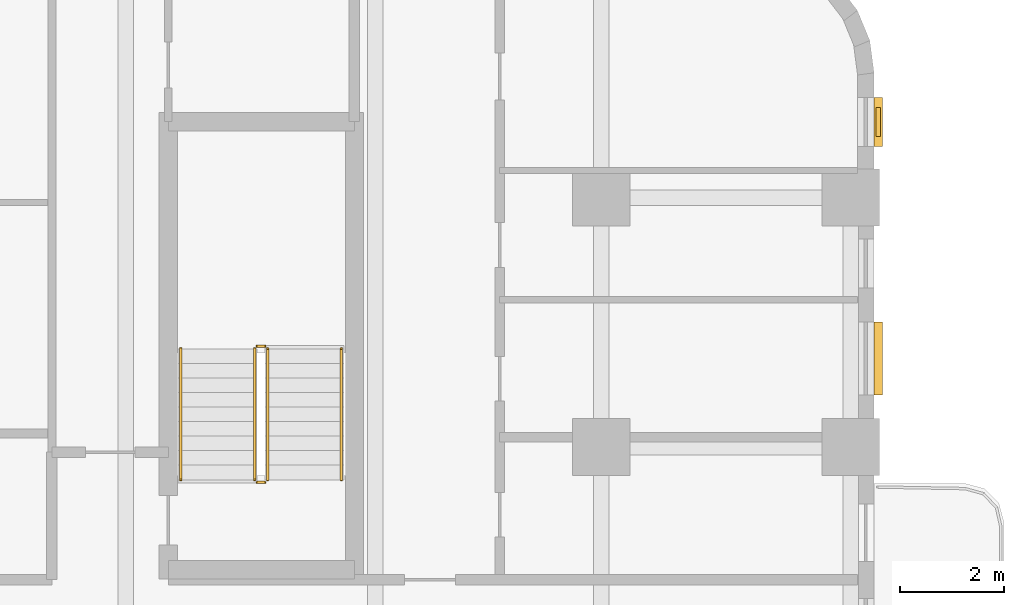
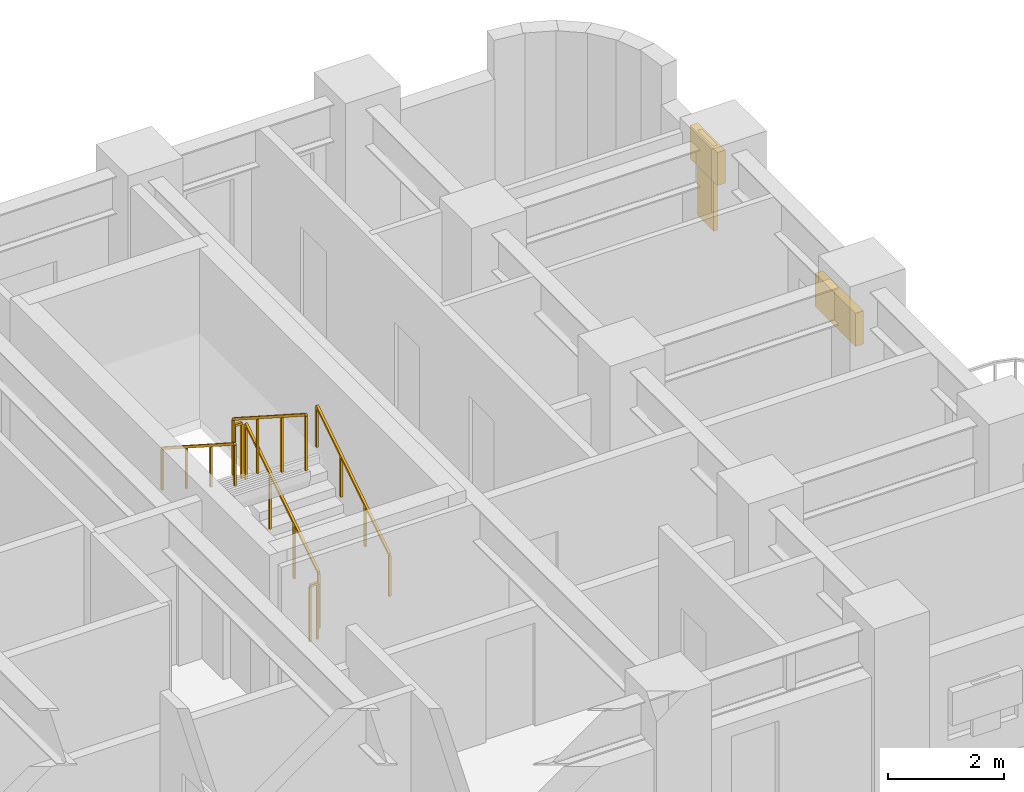
# One storey, part 11 of 12: 6 railings, 3 shading devices.
"""IFC4 building model written with IfcOpenShell, lengths in metres."""

from ifc_helpers import new_model, si_unit, direction, frame, origin, origin_2d, place, context, subcontext, project, spatial, rectangle, extrude, material, type_object, element, save


model = new_model("IFC4")

# Units and contexts
model_context = context("Model", 3, precision=1e-05, world=origin(), true_north=direction((0.0, 1.0)))
body_context = subcontext(model_context, "Body", "Model", "MODEL_VIEW")
ifc_project = project(units=[si_unit("LENGTHUNIT", "METRE"), si_unit("AREAUNIT", "SQUARE_METRE"), si_unit("VOLUMEUNIT", "CUBIC_METRE"), si_unit("PLANEANGLEUNIT", "RADIAN"), si_unit("MASSUNIT", "GRAM", prefix="KILO")], contexts=[model_context])

# Site, building, storey
site_placement = place(None, origin())
site = spatial("IfcSite", under=ifc_project, at=site_placement, CompositionType="ELEMENT")
building_placement = place(site_placement, origin())
building = spatial("IfcBuilding", under=site, at=building_placement, Name="Orvandelia Arch Residences", CompositionType="ELEMENT")
storey_placement = place(building_placement, frame((0.0, 0.0, 39.39990234375)))
storey = spatial("IfcBuildingStorey", under=building, at=storey_placement, Name="L09", CompositionType="ELEMENT", Elevation=39.39990234375)

# Railings
ifc_material_1 = material(Name="Brushed Stainless Steel 304", Category="steel")
railing_type_1 = type_object("IfcRailingType", Name="RL-STAIR-GD1120", PredefinedType="GUARDRAIL", material=ifc_material_1)
railing_1_placement = place(storey_placement, frame((45.929931640625, 37.77001953125, 0.18017578125)))
element("IfcRailing", 1, at=railing_1_placement, inside=storey, type_object=railing_type_1, Name="L09 ST-3 stair guard 1", PredefinedType="GUARDRAIL", context=body_context, shape_type="SweptSolid", body=[
    extrude(rectangle(XDim=0.048095703125, YDim=0.048095703125, at=origin_2d()), frame((0.0, 0.0, 1.17578125), z_axis=(0.0, 0.841199657755, 0.540724639528), x_axis=(-1.0, 0.0, 0.0)), (0.0, 0.0, 1.0), 2.995849609375),
    extrude(rectangle(XDim=0.0419921875, YDim=0.0419921875, at=origin_2d()), origin(), (0.0, 0.0, 1.0), 1.15185546875),
    extrude(rectangle(XDim=0.0419921875, YDim=0.0419921875, at=origin_2d()), frame((0.0, 0.840087890625, 0.5400390625)), (0.0, 0.0, 1.0), 1.15185546875),
    extrude(rectangle(XDim=0.0419921875, YDim=0.0419921875, at=origin_2d()), frame((0.0, 1.679931640625, 1.079833984375)), (0.0, 0.0, 1.0), 1.15185546875),
    extrude(rectangle(XDim=0.0419921875, YDim=0.0419921875, at=origin_2d()), frame((0.0, 2.52001953125, 1.619873046875)), (0.0, 0.0, 1.0), 1.15185546875),
])
railing_2_placement = place(storey_placement, frame((45.8798828125, 40.340087890625, 1.800048828125)))
element("IfcRailing", 2, at=railing_2_placement, inside=storey, type_object=railing_type_1, Name="L09 ST-3 stair guard 2", PredefinedType="GUARDRAIL", context=body_context, shape_type="SweptSolid", body=[
    extrude(rectangle(XDim=0.048095703125, YDim=0.048095703125, at=origin_2d()), frame((0.0, 0.0, 1.17578125), z_axis=(-1.0, 0.0, 0.0), x_axis=(0.0, -1.0, 0.0)), (0.0, 0.0, 1.0), 0.14990234375),
    extrude(rectangle(XDim=0.0419921875, YDim=0.0419921875, at=origin_2d()), origin(), (0.0, 0.0, 1.0), 1.15185546875),
    extrude(rectangle(XDim=0.0419921875, YDim=0.0419921875, at=origin_2d()), frame((-0.14990234375, 0.0, 0.0)), (0.0, 0.0, 1.0), 1.15185546875),
])
railing_3_placement = place(storey_placement, frame((45.679931640625, 40.2900390625, 1.97998046875)))
element("IfcRailing", 3, at=railing_3_placement, inside=storey, type_object=railing_type_1, Name="L09 ST-3 stair guard 3", PredefinedType="GUARDRAIL", context=body_context, shape_type="SweptSolid", body=[
    extrude(rectangle(XDim=0.048095703125, YDim=0.048095703125, at=origin_2d()), frame((0.0, 0.0, 1.17578125), z_axis=(0.0, -0.841162588446, 0.540782303519), x_axis=(1.0, 0.0, 0.0)), (0.0, 0.0, 1.0), 2.995849609375),
    extrude(rectangle(XDim=0.0419921875, YDim=0.0419921875, at=origin_2d()), origin(), (0.0, 0.0, 1.0), 1.15185546875),
    extrude(rectangle(XDim=0.0419921875, YDim=0.0419921875, at=origin_2d()), frame((0.0, -0.840087890625, 0.5400390625)), (0.0, 0.0, 1.0), 1.15185546875),
    extrude(rectangle(XDim=0.0419921875, YDim=0.0419921875, at=origin_2d()), frame((0.0, -1.679931640625, 1.080078125)), (0.0, 0.0, 1.0), 1.15185546875),
    extrude(rectangle(XDim=0.0419921875, YDim=0.0419921875, at=origin_2d()), frame((0.0, -2.52001953125, 1.6201171875)), (0.0, 0.0, 1.0), 1.15185546875),
])
railing_4_placement = place(storey_placement, frame((45.8798828125, 37.719970703125, 0.0)))
element("IfcRailing", 4, at=railing_4_placement, inside=storey, type_object=railing_type_1, Name="L09 ST-3 stair guard 4", PredefinedType="GUARDRAIL", context=body_context, shape_type="SweptSolid", body=[
    extrude(rectangle(XDim=0.048095703125, YDim=0.048095703125, at=origin_2d()), frame((0.0, 0.0, 1.17578125), z_axis=(-1.0, 0.0, 0.0), x_axis=(0.0, -1.0, 0.0)), (0.0, 0.0, 1.0), 0.14990234375),
    extrude(rectangle(XDim=0.0419921875, YDim=0.0419921875, at=origin_2d()), origin(), (0.0, 0.0, 1.0), 1.15185546875),
    extrude(rectangle(XDim=0.0419921875, YDim=0.0419921875, at=origin_2d()), frame((-0.14990234375, 0.0, 0.0)), (0.0, 0.0, 1.0), 1.15185546875),
])
railing_type_2 = type_object("IfcRailingType", Name="RL-STAIR-HR920", PredefinedType="HANDRAIL", material=ifc_material_1)
railing_5_placement = place(storey_placement, frame((47.35009765625, 37.77001953125, 0.360107421875)))
element("IfcRailing", 5, at=railing_5_placement, inside=storey, type_object=railing_type_2, Name="L09 ST-3 stair handrail 1", PredefinedType="HANDRAIL", context=body_context, shape_type="SweptSolid", body=[
    extrude(rectangle(XDim=0.048095703125, YDim=0.048095703125, at=origin_2d()), frame((0.0, 0.0, 0.8759765625), z_axis=(0.0, 0.841199657755, 0.540724639528), x_axis=(-1.0, 0.0, 0.0)), (0.0, 0.0, 1.0), 2.995849609375),
    extrude(rectangle(XDim=0.0419921875, YDim=0.0419921875, at=origin_2d()), origin(), (0.0, 0.0, 1.0), 0.851806640625),
    extrude(rectangle(XDim=0.0419921875, YDim=0.0419921875, at=origin_2d()), frame((0.0, 0.840087890625, 0.5400390625)), (0.0, 0.0, 1.0), 0.851806640625),
    extrude(rectangle(XDim=0.0419921875, YDim=0.0419921875, at=origin_2d()), frame((0.0, 1.679931640625, 1.079833984375)), (0.0, 0.0, 1.0), 0.851806640625),
    extrude(rectangle(XDim=0.0419921875, YDim=0.0419921875, at=origin_2d()), frame((0.0, 2.52001953125, 1.619873046875)), (0.0, 0.0, 1.0), 0.851806640625),
])
railing_6_placement = place(storey_placement, frame((44.260009765625, 40.2900390625, 2.16015625)))
element("IfcRailing", 6, at=railing_6_placement, inside=storey, type_object=railing_type_2, Name="L09 ST-3 stair handrail 2", PredefinedType="HANDRAIL", context=body_context, shape_type="SweptSolid", body=[
    extrude(rectangle(XDim=0.048095703125, YDim=0.048095703125, at=origin_2d()), frame((0.0, 0.0, 0.8759765625), z_axis=(0.0, -0.841199657755, 0.540724639528), x_axis=(1.0, 0.0, 0.0)), (0.0, 0.0, 1.0), 2.995849609375),
    extrude(rectangle(XDim=0.0419921875, YDim=0.0419921875, at=origin_2d()), origin(), (0.0, 0.0, 1.0), 0.851806640625),
    extrude(rectangle(XDim=0.0419921875, YDim=0.0419921875, at=origin_2d()), frame((0.0, -0.840087890625, 0.5400390625)), (0.0, 0.0, 1.0), 0.851806640625),
    extrude(rectangle(XDim=0.0419921875, YDim=0.0419921875, at=origin_2d()), frame((0.0, -1.679931640625, 1.079833984375)), (0.0, 0.0, 1.0), 0.851806640625),
    extrude(rectangle(XDim=0.0419921875, YDim=0.0419921875, at=origin_2d()), frame((0.0, -2.52001953125, 1.619873046875)), (0.0, 0.0, 1.0), 0.851806640625),
])

# Shading devices
ifc_material_2 = material(Name="Anodised Champagne-Bronze Extruded Aluminium", Category="aluminium")
shading_device_type_1 = type_object("IfcShadingDeviceType", Name="SHD-JALOUSIE-SCREEN", PredefinedType="JALOUSIE", material=ifc_material_2)
shading_device_1_placement = place(storey_placement, frame((57.679931640625, 44.655029296875, 1.55029296875), z_axis=(0.0, 0.0, 1.0), x_axis=(0.0, -1.0, 0.0)))
element("IfcShadingDevice", 7, at=shading_device_1_placement, inside=storey, type_object=shading_device_type_1, Name="Bronze Jalousie Sun-Shade L09-003", PredefinedType="JALOUSIE", context=body_context, shape_type="SweptSolid", body=[
    extrude(rectangle(XDim=0.949951171875, YDim=0.159912109375, at=origin_2d()), origin(), (0.0, 0.0, 1.0), 0.699951171875),
])
shading_device_2_placement = place(storey_placement, frame((57.679931640625, 40.1015625, 1.05029296875), z_axis=(0.0, 0.0, 1.0), x_axis=(0.0, -1.0, 0.0)))
element("IfcShadingDevice", 8, at=shading_device_2_placement, inside=storey, type_object=shading_device_type_1, Name="Bronze Jalousie Sun-Shade L09-004", PredefinedType="JALOUSIE", context=body_context, shape_type="SweptSolid", body=[
    extrude(rectangle(XDim=1.39990234375, YDim=0.159912109375, at=origin_2d()), origin(), (0.0, 0.0, 1.0), 0.699951171875),
])
ifc_material_3 = material(Name="Marine-Grade Perforated Aluminium Storm Shutter", Category="aluminium")
shading_device_type_2 = type_object("IfcShadingDeviceType", Name="SHD-STORM-SHUTTER", PredefinedType="SHUTTER", material=ifc_material_3)
shading_device_3_placement = place(storey_placement, frame((57.679931640625, 44.655029296875, 0.4501953125), z_axis=(0.0, 0.0, 1.0), x_axis=(0.0, -1.0, 0.0)))
element("IfcShadingDevice", 9, at=shading_device_3_placement, inside=storey, type_object=shading_device_type_2, Name="Operable Typhoon Storm Shutter L09-003", PredefinedType="SHUTTER", context=body_context, shape_type="SweptSolid", body=[
    extrude(rectangle(XDim=0.550048828125, YDim=0.080078125, at=origin_2d()), origin(), (0.0, 0.0, 1.0), 1.800048828125),
])

save(model, "model.ifc")
